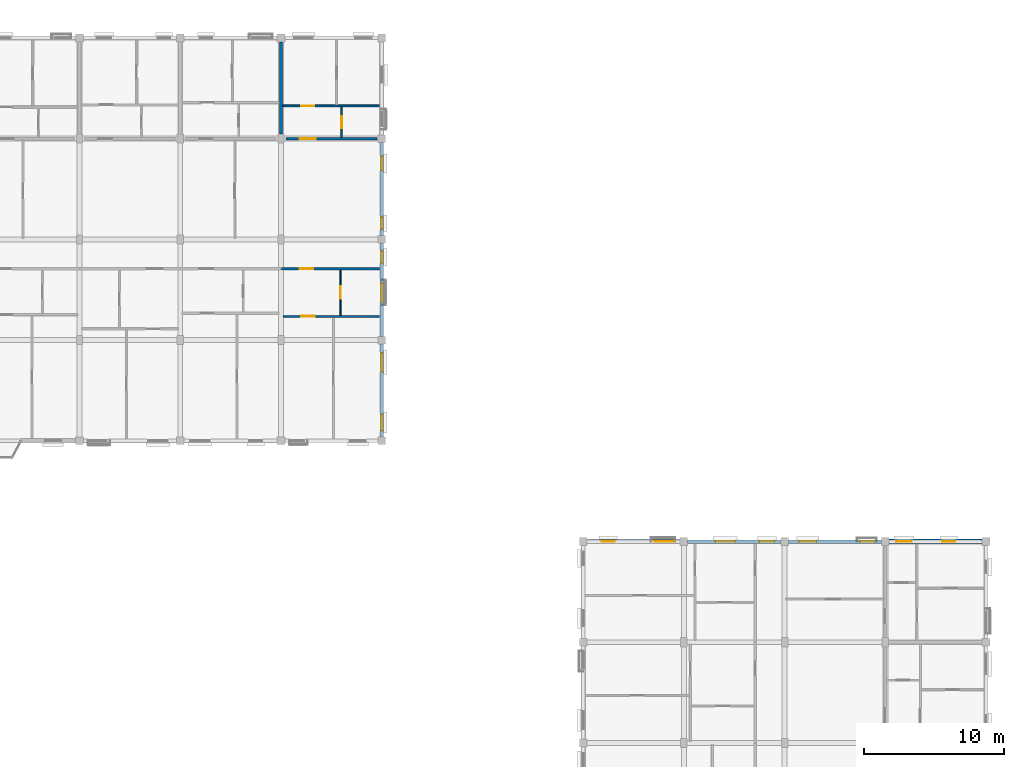
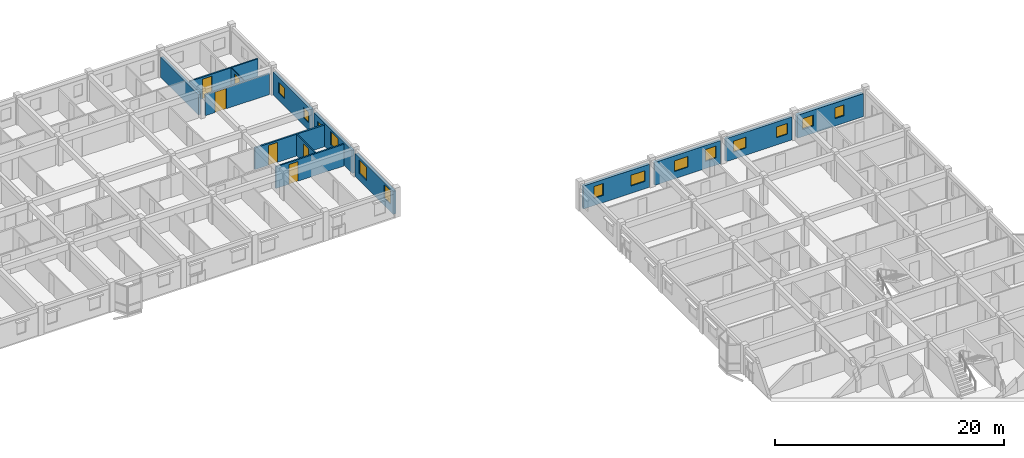
# One storey, part 71 of 79: 14 walls, 14 windows, 6 doors, 20 openings.
"""IFC4 building model written with IfcOpenShell, lengths in metres."""

from ifc_helpers import new_model, si_unit, direction, frame, frame_2d, origin, place, context, subcontext, project, spatial, rectangle, extrude, material, layer, layer_set, type_object, element, fill, save


model = new_model("IFC4")

# Units and contexts
model_context = context("Model", 3, precision=1e-05, world=origin(), true_north=direction((0.0, 1.0)))
body_context = subcontext(model_context, "Body", "Model", "MODEL_VIEW")
ifc_project = project(units=[si_unit("LENGTHUNIT", "METRE"), si_unit("AREAUNIT", "SQUARE_METRE"), si_unit("VOLUMEUNIT", "CUBIC_METRE"), si_unit("PLANEANGLEUNIT", "RADIAN"), si_unit("MASSUNIT", "GRAM", prefix="KILO"), si_unit("THERMODYNAMICTEMPERATUREUNIT", "KELVIN"), si_unit("POWERUNIT", "WATT")], contexts=[model_context])

# Site, building, storey
site_placement = place(None, origin())
site = spatial("IfcSite", under=ifc_project, at=site_placement, CompositionType="ELEMENT")
building_placement = place(site_placement, origin())
building = spatial("IfcBuilding", under=site, at=building_placement, Name="Tavuni Mirador Residences", CompositionType="ELEMENT")
storey_placement = place(building_placement, frame((0.0, 0.0, 13.949951171875)))
storey = spatial("IfcBuildingStorey", under=building, at=storey_placement, Name="L04", CompositionType="ELEMENT", Elevation=13.949951171875)

# Wall, opening, door
ifc_material_1 = material(Name="Precast concrete C40/50", Category="concrete")
ifc_layer_1 = layer(ifc_material_1, 0.1650390625, Name="Precast concrete C40/50", Category="concrete")
ifc_layer_set_1 = layer_set([ifc_layer_1], Name="Precast concrete C40/50")
wall_type_1 = type_object("IfcWallType", Name="WT-CORR165", PredefinedType="PARTITIONING", material=ifc_layer_set_1)
wall_1_placement = place(storey_placement, frame((68.419921875, 156.300048828125, 0.0), z_axis=(0.0, 0.0, 1.0), x_axis=(1.0, 0.0, 0.0)))
wall_1 = element("IfcWall", 1, at=wall_1_placement, inside=storey, type_object=wall_type_1, Name="CORW-BLK-C-L04-0-08", PredefinedType="PARTITIONING", context=body_context, shape_type="SweptSolid", body=[
    extrude(rectangle(XDim=7.005126953125, YDim=0.1650390625, at=frame_2d((3.50244140625, 0.0))), origin(), (0.0, 0.0, 1.0), 2.320068359375),
])
opening_1_placement = place(wall_1_placement, frame((1.330078125, 0.0, 0.0)))
opening_1 = element("IfcOpeningElement", 2, at=opening_1_placement, cuts=wall_1, Name="Opening D-19", PredefinedType="OPENING", context=body_context, shape_type="SweptSolid", body=[
    extrude(rectangle(XDim=0.93994140625, YDim=2.1201171875, at=frame_2d((0.469970703125, 1.06005859375))), frame((0.0, 0.092529296875, 0.0), z_axis=(0.0, -1.0, 0.0), x_axis=(1.0, 0.0, 0.0)), (0.0, 0.0, 1.0), 0.18505859375),
])
ifc_material_2 = material(Name="Solid core iroko timber", Category="wood")
door_type_1 = type_object("IfcDoorType", Name="DT-FD60-940", OperationType="NOTDEFINED", PredefinedType="DOOR", material=ifc_material_2)
door_1_placement = place(opening_1_placement, origin())
door_1 = element("IfcDoor", 3, at=door_1_placement, inside=storey, type_object=door_type_1, Name="DR-2683", OperationType="SINGLE_SWING_RIGHT", OverallHeight=2.1201171875, OverallWidth=0.93994140625, PredefinedType="DOOR", context=body_context, shape_type="SweptSolid", body=[
    extrude(rectangle(XDim=0.93994140625, YDim=2.1201171875, at=frame_2d((0.469970703125, 1.06005859375))), frame((0.0, 0.02490234375, 0.0), z_axis=(0.0, -1.0, 0.0), x_axis=(1.0, 0.0, 0.0)), (0.0, 0.0, 1.0), 0.050048828125),
])
fill(opening_1, door_1)

wall_2_placement = place(storey_placement, frame((68.75, 165.60009765625, 0.0), z_axis=(0.0, 0.0, 1.0), x_axis=(1.0, 0.0, 0.0)))
wall_2 = element("IfcWall", 4, at=wall_2_placement, inside=storey, type_object=wall_type_1, Name="CORW-BLK-C-L04-1-08", PredefinedType="PARTITIONING", context=body_context, shape_type="SweptSolid", body=[
    extrude(rectangle(XDim=6.5, YDim=0.1650390625, at=frame_2d((3.25, 0.0))), origin(), (0.0, 0.0, 1.0), 2.235107421875),
])
opening_2_placement = place(wall_2_placement, frame((1.0, 0.0, 0.0)))
opening_2 = element("IfcOpeningElement", 5, at=opening_2_placement, cuts=wall_2, Name="Opening D-20", PredefinedType="OPENING", context=body_context, shape_type="SweptSolid", body=[
    extrude(rectangle(XDim=1.139892578125, YDim=2.179931640625, at=frame_2d((0.56982421875, 1.08984375))), frame((0.0, 0.092529296875, 0.0), z_axis=(0.0, -1.0, 0.0), x_axis=(1.0, 0.0, 0.0)), (0.0, 0.0, 1.0), 0.18505859375),
])
door_type_2 = type_object("IfcDoorType", Name="DT-FD60-1140", OperationType="NOTDEFINED", PredefinedType="DOOR", material=ifc_material_2)
door_2_placement = place(opening_2_placement, origin())
door_2 = element("IfcDoor", 6, at=door_2_placement, inside=storey, type_object=door_type_2, Name="DR-2690", OperationType="SINGLE_SWING_LEFT", OverallHeight=2.179931640625, OverallWidth=1.139892578125, PredefinedType="DOOR", context=body_context, shape_type="SweptSolid", body=[
    extrude(rectangle(XDim=1.139892578125, YDim=2.179931640625, at=frame_2d((0.56982421875, 1.08984375))), frame((0.0, 0.02490234375, 0.0), z_axis=(0.0, -1.0, 0.0), x_axis=(1.0, 0.0, 0.0)), (0.0, 0.0, 1.0), 0.050048828125),
])
fill(opening_2, door_2)

# Wall, openings, windows
ifc_layer_2 = layer(ifc_material_1, 0.330078125, Name="Precast concrete C40/50", Category="concrete")
ifc_layer_set_2 = layer_set([ifc_layer_2], Name="Precast concrete C40/50")
wall_type_2 = type_object("IfcWallType", Name="WT-EXT-COR330", PredefinedType="SOLIDWALL", material=ifc_layer_set_2)
wall_3_placement = place(storey_placement, frame((118.52490234375, 136.800048828125, 0.0), z_axis=(0.0, 0.0, 1.0), x_axis=(-1.0, 0.0, 0.0)))
wall_3 = element("IfcWall", 7, at=wall_3_placement, inside=storey, type_object=wall_type_2, Name="EW-BLK-D-L04-N03", PredefinedType="SOLIDWALL", context=body_context, shape_type="SweptSolid", body=[
    extrude(rectangle(XDim=6.64990234375, YDim=0.330078125, at=frame_2d((3.324951171875, 0.0))), origin(), (0.0, 0.0, 1.0), 2.4599609375),
])
opening_3_placement = place(wall_3_placement, frame((1.9423828125, 0.0, 0.780029296875)))
opening_3 = element("IfcOpeningElement", 8, at=opening_3_placement, cuts=wall_3, Name="Opening WN-02", PredefinedType="OPENING", context=body_context, shape_type="SweptSolid", body=[
    extrude(rectangle(XDim=0.919921875, YDim=1.14990234375, at=frame_2d((0.4599609375, 0.574951171875))), frame((0.0, 0.175048828125, 0.0), z_axis=(0.0, -1.0, 0.0), x_axis=(1.0, 0.0, 0.0)), (0.0, 0.0, 1.0), 0.35009765625),
])
opening_4_placement = place(wall_3_placement, frame((5.047607421875, 0.0, 0.780029296875)))
opening_4 = element("IfcOpeningElement", 9, at=opening_4_placement, cuts=wall_3, Name="Opening WN-04", PredefinedType="OPENING", context=body_context, shape_type="SweptSolid", body=[
    extrude(rectangle(XDim=1.080078125, YDim=1.14990234375, at=frame_2d((0.5400390625, 0.574951171875))), frame((0.0, 0.175048828125, 0.0), z_axis=(0.0, -1.0, 0.0), x_axis=(1.0, 0.0, 0.0)), (0.0, 0.0, 1.0), 0.35009765625),
])
ifc_material_3 = material(Name="Laminated solar-control glass", Category="glass")
window_type_1 = type_object("IfcWindowType", Name="WNT-02", PartitioningType="SINGLE_PANEL", PredefinedType="WINDOW", material=ifc_material_3)
window_1_placement = place(opening_3_placement, origin())
window_1 = element("IfcWindow", 10, at=window_1_placement, inside=storey, type_object=window_type_1, Name="WIN-1587", OverallHeight=1.14990234375, OverallWidth=0.919921875, PartitioningType="SINGLE_PANEL", PredefinedType="WINDOW", context=body_context, shape_type="SweptSolid", body=[
    extrude(rectangle(XDim=0.919921875, YDim=1.14990234375, at=frame_2d((0.4599609375, 0.574951171875))), frame((0.0, 0.030029296875, 0.0), z_axis=(0.0, -1.0, 0.0), x_axis=(1.0, 0.0, 0.0)), (0.0, 0.0, 1.0), 0.06005859375),
])
fill(opening_3, window_1)
window_type_2 = type_object("IfcWindowType", Name="WNT-04", PartitioningType="SINGLE_PANEL", PredefinedType="WINDOW", material=ifc_material_3)
window_2_placement = place(opening_4_placement, origin())
window_2 = element("IfcWindow", 11, at=window_2_placement, inside=storey, type_object=window_type_2, Name="WIN-1588", OverallHeight=1.14990234375, OverallWidth=1.080078125, PartitioningType="SINGLE_PANEL", PredefinedType="WINDOW", context=body_context, shape_type="SweptSolid", body=[
    extrude(rectangle(XDim=1.080078125, YDim=1.14990234375, at=frame_2d((0.5400390625, 0.574951171875))), frame((0.0, 0.030029296875, 0.0), z_axis=(0.0, -1.0, 0.0), x_axis=(1.0, 0.0, 0.0)), (0.0, 0.0, 1.0), 0.06005859375),
])
fill(opening_4, window_2)

ifc_material_4 = material(Name="Sgraffito lime-rendered precast concrete C40/50", Category="concrete")
ifc_layer_3 = layer(ifc_material_4, 0.2451171875, Name="Sgraffito lime-rendered precast concrete C40/50", Category="concrete")
ifc_layer_set_3 = layer_set([ifc_layer_3], Name="Sgraffito lime-rendered precast concrete C40/50")
wall_type_3 = type_object("IfcWallType", Name="WT-EXT-PC245", PredefinedType="SOLIDWALL", material=ifc_layer_set_3)
wall_4_placement = place(storey_placement, frame((75.60009765625, 158.675048828125, 0.0), z_axis=(0.0, 0.0, 1.0), x_axis=(0.0, 1.0, 0.0)))
wall_4 = element("IfcWall", 12, at=wall_4_placement, inside=storey, type_object=wall_type_3, Name="EW-BLK-C-L04-E02", PredefinedType="SOLIDWALL", context=body_context, shape_type="SweptSolid", body=[
    extrude(rectangle(XDim=6.64990234375, YDim=0.2451171875, at=frame_2d((3.324951171875, 0.0))), origin(), (0.0, 0.0, 1.0), 2.455078125),
])
opening_5_placement = place(wall_4_placement, frame((0.449951171875, 0.0, 0.780029296875)))
opening_5 = element("IfcOpeningElement", 13, at=opening_5_placement, cuts=wall_4, Name="Opening WN-01", PredefinedType="OPENING", context=body_context, shape_type="SweptSolid", body=[
    extrude(rectangle(XDim=0.85009765625, YDim=1.14990234375, at=frame_2d((0.425048828125, 0.574951171875))), frame((0.0, 0.132568359375, 0.0), z_axis=(0.0, -1.0, 0.0), x_axis=(1.0, 0.0, 0.0)), (0.0, 0.0, 1.0), 0.26513671875),
])
opening_6_placement = place(wall_4_placement, frame((4.64990234375, 0.0, 0.780029296875)))
opening_6 = element("IfcOpeningElement", 14, at=opening_6_placement, cuts=wall_4, Name="Opening WN-03", PredefinedType="OPENING", context=body_context, shape_type="SweptSolid", body=[
    extrude(rectangle(XDim=1.0, YDim=1.14990234375, at=frame_2d((0.5, 0.574951171875))), frame((0.0, 0.132568359375, 0.0), z_axis=(0.0, -1.0, 0.0), x_axis=(1.0, 0.0, 0.0)), (0.0, 0.0, 1.0), 0.26513671875),
])
window_type_3 = type_object("IfcWindowType", Name="WNT-01", PartitioningType="SINGLE_PANEL", PredefinedType="WINDOW", material=ifc_material_3)
window_3_placement = place(opening_5_placement, origin())
window_3 = element("IfcWindow", 15, at=window_3_placement, inside=storey, type_object=window_type_3, Name="WIN-1016", OverallHeight=1.14990234375, OverallWidth=0.85009765625, PartitioningType="SINGLE_PANEL", PredefinedType="WINDOW", context=body_context, shape_type="SweptSolid", body=[
    extrude(rectangle(XDim=0.85009765625, YDim=1.14990234375, at=frame_2d((0.425048828125, 0.574951171875))), frame((0.0, 0.030029296875, 0.0), z_axis=(0.0, -1.0, 0.0), x_axis=(1.0, 0.0, 0.0)), (0.0, 0.0, 1.0), 0.06005859375),
])
fill(opening_5, window_3)
window_type_4 = type_object("IfcWindowType", Name="WNT-03", PartitioningType="SINGLE_PANEL", PredefinedType="WINDOW", material=ifc_material_3)
window_4_placement = place(opening_6_placement, origin())
window_4 = element("IfcWindow", 16, at=window_4_placement, inside=storey, type_object=window_type_4, Name="WIN-1017", OverallHeight=1.14990234375, OverallWidth=1.0, PartitioningType="SINGLE_PANEL", PredefinedType="WINDOW", context=body_context, shape_type="SweptSolid", body=[
    extrude(rectangle(XDim=1.0, YDim=1.14990234375, at=frame_2d((0.5, 0.574951171875))), frame((0.0, 0.030029296875, 0.0), z_axis=(0.0, -1.0, 0.0), x_axis=(1.0, 0.0, 0.0)), (0.0, 0.0, 1.0), 0.06005859375),
])
fill(opening_6, window_4)

wall_5_placement = place(storey_placement, frame((111.324951171875, 136.800048828125, 0.0), z_axis=(0.0, 0.0, 1.0), x_axis=(-1.0, 0.0, 0.0)))
wall_5 = element("IfcWall", 17, at=wall_5_placement, inside=storey, type_object=wall_type_3, Name="EW-BLK-D-L04-N02", PredefinedType="SOLIDWALL", context=body_context, shape_type="SweptSolid", body=[
    extrude(rectangle(XDim=6.64990234375, YDim=0.2451171875, at=frame_2d((3.324951171875, 0.0))), origin(), (0.0, 0.0, 1.0), 2.4599609375),
])
opening_7_placement = place(wall_5_placement, frame((0.449951171875, 0.0, 0.780029296875)))
opening_7 = element("IfcOpeningElement", 18, at=opening_7_placement, cuts=wall_5, Name="Opening WN-04", PredefinedType="OPENING", context=body_context, shape_type="SweptSolid", body=[
    extrude(rectangle(XDim=1.080078125, YDim=1.14990234375, at=frame_2d((0.5400390625, 0.574951171875))), frame((0.0, 0.132568359375, 0.0), z_axis=(0.0, -1.0, 0.0), x_axis=(1.0, 0.0, 0.0)), (0.0, 0.0, 1.0), 0.26513671875),
])
opening_8_placement = place(wall_5_placement, frame((4.64990234375, 0.0, 0.780029296875)))
opening_8 = element("IfcOpeningElement", 19, at=opening_8_placement, cuts=wall_5, Name="Opening WN-06", PredefinedType="OPENING", context=body_context, shape_type="SweptSolid", body=[
    extrude(rectangle(XDim=1.239990234375, YDim=1.14990234375, at=frame_2d((0.6201171875, 0.574951171875))), frame((0.0, 0.132568359375, 0.0), z_axis=(0.0, -1.0, 0.0), x_axis=(1.0, 0.0, 0.0)), (0.0, 0.0, 1.0), 0.26513671875),
])
window_5_placement = place(opening_7_placement, origin())
window_5 = element("IfcWindow", 20, at=window_5_placement, inside=storey, type_object=window_type_2, Name="WIN-1589", OverallHeight=1.14990234375, OverallWidth=1.080078125, PartitioningType="SINGLE_PANEL", PredefinedType="WINDOW", context=body_context, shape_type="SweptSolid", body=[
    extrude(rectangle(XDim=1.080078125, YDim=1.14990234375, at=frame_2d((0.5400390625, 0.574951171875))), frame((0.0, 0.030029296875, 0.0), z_axis=(0.0, -1.0, 0.0), x_axis=(1.0, 0.0, 0.0)), (0.0, 0.0, 1.0), 0.06005859375),
])
fill(opening_7, window_5)
window_type_5 = type_object("IfcWindowType", Name="WNT-06", PartitioningType="SINGLE_PANEL", PredefinedType="WINDOW", material=ifc_material_3)
window_6_placement = place(opening_8_placement, origin())
window_6 = element("IfcWindow", 21, at=window_6_placement, inside=storey, type_object=window_type_5, Name="WIN-1590", OverallHeight=1.14990234375, OverallWidth=1.239990234375, PartitioningType="SINGLE_PANEL", PredefinedType="WINDOW", context=body_context, shape_type="SweptSolid", body=[
    extrude(rectangle(XDim=1.239990234375, YDim=1.14990234375, at=frame_2d((0.6201171875, 0.574951171875))), frame((0.0, 0.030029296875, 0.0), z_axis=(0.0, -1.0, 0.0), x_axis=(1.0, 0.0, 0.0)), (0.0, 0.0, 1.0), 0.06005859375),
])
fill(opening_8, window_6)

ifc_layer_4 = layer(ifc_material_4, 0.2548828125, Name="Sgraffito lime-rendered precast concrete C40/50", Category="concrete")
ifc_layer_set_4 = layer_set([ifc_layer_4], Name="Sgraffito lime-rendered precast concrete C40/50")
wall_type_4 = type_object("IfcWallType", Name="WT-EXT-PC255", PredefinedType="SOLIDWALL", material=ifc_layer_set_4)
wall_6_placement = place(storey_placement, frame((75.60009765625, 151.47509765625, 0.0), z_axis=(0.0, 0.0, 1.0), x_axis=(0.0, 1.0, 0.0)))
wall_6 = element("IfcWall", 22, at=wall_6_placement, inside=storey, type_object=wall_type_4, Name="EW-BLK-C-L04-E01", PredefinedType="SOLIDWALL", context=body_context, shape_type="SweptSolid", body=[
    extrude(rectangle(XDim=6.64990234375, YDim=0.2548828125, at=frame_2d((3.324951171875, 0.0))), origin(), (0.0, 0.0, 1.0), 2.455078125),
])
opening_9_placement = place(wall_6_placement, frame((2.449951171875, 0.0, 0.780029296875)))
opening_9 = element("IfcOpeningElement", 23, at=opening_9_placement, cuts=wall_6, Name="Opening WN-29", PredefinedType="OPENING", context=body_context, shape_type="SweptSolid", body=[
    extrude(rectangle(XDim=1.35009765625, YDim=1.43994140625, at=frame_2d((0.675048828125, 0.719970703125))), frame((0.0, 0.137451171875, 0.0), z_axis=(0.0, -1.0, 0.0), x_axis=(1.0, 0.0, 0.0)), (0.0, 0.0, 1.0), 0.27490234375),
])
opening_10_placement = place(wall_6_placement, frame((5.242431640625, 0.0, 0.780029296875)))
opening_10 = element("IfcOpeningElement", 24, at=opening_10_placement, cuts=wall_6, Name="Opening WN-01", PredefinedType="OPENING", context=body_context, shape_type="SweptSolid", body=[
    extrude(rectangle(XDim=0.85009765625, YDim=1.14990234375, at=frame_2d((0.425048828125, 0.574951171875))), frame((0.0, 0.137451171875, 0.0), z_axis=(0.0, -1.0, 0.0), x_axis=(1.0, 0.0, 0.0)), (0.0, 0.0, 1.0), 0.27490234375),
])
window_7_placement = place(opening_10_placement, origin())
window_7 = element("IfcWindow", 25, at=window_7_placement, inside=storey, type_object=window_type_3, Name="WIN-1015", OverallHeight=1.14990234375, OverallWidth=0.85009765625, PartitioningType="SINGLE_PANEL", PredefinedType="WINDOW", context=body_context, shape_type="SweptSolid", body=[
    extrude(rectangle(XDim=0.85009765625, YDim=1.14990234375, at=frame_2d((0.425048828125, 0.574951171875))), frame((0.0, 0.030029296875, 0.0), z_axis=(0.0, -1.0, 0.0), x_axis=(1.0, 0.0, 0.0)), (0.0, 0.0, 1.0), 0.06005859375),
])
fill(opening_10, window_7)
window_type_6 = type_object("IfcWindowType", Name="WNT-29", PartitioningType="SINGLE_PANEL", PredefinedType="WINDOW", material=ifc_material_3)
window_8_placement = place(opening_9_placement, origin())
window_8 = element("IfcWindow", 26, at=window_8_placement, inside=storey, type_object=window_type_6, Name="WIN-1014", OverallHeight=1.43994140625, OverallWidth=1.35009765625, PartitioningType="SINGLE_PANEL", PredefinedType="WINDOW", context=body_context, shape_type="SweptSolid", body=[
    extrude(rectangle(XDim=1.35009765625, YDim=1.43994140625, at=frame_2d((0.675048828125, 0.719970703125))), frame((0.0, 0.030029296875, 0.0), z_axis=(0.0, -1.0, 0.0), x_axis=(1.0, 0.0, 0.0)), (0.0, 0.0, 1.0), 0.06005859375),
])
fill(opening_9, window_8)

wall_7_placement = place(storey_placement, frame((104.125, 136.800048828125, 0.0), z_axis=(0.0, 0.0, 1.0), x_axis=(-1.0, 0.0, 0.0)))
wall_7 = element("IfcWall", 27, at=wall_7_placement, inside=storey, type_object=wall_type_4, Name="EW-BLK-D-L04-N01", PredefinedType="SOLIDWALL", context=body_context, shape_type="SweptSolid", body=[
    extrude(rectangle(XDim=6.64990234375, YDim=0.2548828125, at=frame_2d((3.324951171875, 0.0))), origin(), (0.0, 0.0, 1.0), 2.4599609375),
])
opening_11_placement = place(wall_7_placement, frame((0.46240234375, 0.0, 0.780029296875)))
opening_11 = element("IfcOpeningElement", 28, at=opening_11_placement, cuts=wall_7, Name="Opening WN-11", PredefinedType="OPENING", context=body_context, shape_type="SweptSolid", body=[
    extrude(rectangle(XDim=1.0400390625, YDim=1.260009765625, at=frame_2d((0.52001953125, 0.6298828125))), frame((0.0, 0.137451171875, 0.0), z_axis=(0.0, -1.0, 0.0), x_axis=(1.0, 0.0, 0.0)), (0.0, 0.0, 1.0), 0.27490234375),
])
opening_12_placement = place(wall_7_placement, frame((3.27490234375, 0.0, 0.780029296875)))
opening_12 = element("IfcOpeningElement", 29, at=opening_12_placement, cuts=wall_7, Name="Opening WN-08", PredefinedType="OPENING", context=body_context, shape_type="SweptSolid", body=[
    extrude(rectangle(XDim=1.39990234375, YDim=1.14990234375, at=frame_2d((0.699951171875, 0.574951171875))), frame((0.0, 0.137451171875, 0.0), z_axis=(0.0, -1.0, 0.0), x_axis=(1.0, 0.0, 0.0)), (0.0, 0.0, 1.0), 0.27490234375),
])
window_type_7 = type_object("IfcWindowType", Name="WNT-08", PartitioningType="SINGLE_PANEL", PredefinedType="WINDOW", material=ifc_material_3)
window_9_placement = place(opening_12_placement, origin())
window_9 = element("IfcWindow", 30, at=window_9_placement, inside=storey, type_object=window_type_7, Name="WIN-1592", OverallHeight=1.14990234375, OverallWidth=1.39990234375, PartitioningType="SINGLE_PANEL", PredefinedType="WINDOW", context=body_context, shape_type="SweptSolid", body=[
    extrude(rectangle(XDim=1.39990234375, YDim=1.14990234375, at=frame_2d((0.699951171875, 0.574951171875))), frame((0.0, 0.030029296875, 0.0), z_axis=(0.0, -1.0, 0.0), x_axis=(1.0, 0.0, 0.0)), (0.0, 0.0, 1.0), 0.06005859375),
])
fill(opening_12, window_9)
window_type_8 = type_object("IfcWindowType", Name="WNT-11", PartitioningType="SINGLE_PANEL", PredefinedType="WINDOW", material=ifc_material_3)
window_10_placement = place(opening_11_placement, origin())
window_10 = element("IfcWindow", 31, at=window_10_placement, inside=storey, type_object=window_type_8, Name="WIN-1591", OverallHeight=1.260009765625, OverallWidth=1.0400390625, PartitioningType="SINGLE_PANEL", PredefinedType="WINDOW", context=body_context, shape_type="SweptSolid", body=[
    extrude(rectangle(XDim=1.0400390625, YDim=1.260009765625, at=frame_2d((0.52001953125, 0.6298828125))), frame((0.0, 0.030029296875, 0.0), z_axis=(0.0, -1.0, 0.0), x_axis=(1.0, 0.0, 0.0)), (0.0, 0.0, 1.0), 0.06005859375),
])
fill(opening_11, window_10)

ifc_layer_5 = layer(ifc_material_4, 0.27490234375, Name="Sgraffito lime-rendered precast concrete C40/50", Category="concrete")
ifc_layer_set_5 = layer_set([ifc_layer_5], Name="Sgraffito lime-rendered precast concrete C40/50")
wall_type_5 = type_object("IfcWallType", Name="WT-EXT-PC275", PredefinedType="SOLIDWALL", material=ifc_layer_set_5)
wall_8_placement = place(storey_placement, frame((75.60009765625, 144.27490234375, 0.0), z_axis=(0.0, 0.0, 1.0), x_axis=(0.0, 1.0, 0.0)))
wall_8 = element("IfcWall", 32, at=wall_8_placement, inside=storey, type_object=wall_type_5, Name="EW-BLK-C-L04-E00", PredefinedType="SOLIDWALL", context=body_context, shape_type="SweptSolid", body=[
    extrude(rectangle(XDim=6.650146484375, YDim=0.27490234375, at=frame_2d((3.3251953125, 0.0))), origin(), (0.0, 0.0, 1.0), 2.455078125),
])
opening_13_placement = place(wall_8_placement, frame((0.449951171875, 0.0, 0.780029296875)))
opening_13 = element("IfcOpeningElement", 33, at=opening_13_placement, cuts=wall_8, Name="Opening WN-27", PredefinedType="OPENING", context=body_context, shape_type="SweptSolid", body=[
    extrude(rectangle(XDim=1.14990234375, YDim=1.43994140625, at=frame_2d((0.574951171875, 0.719970703125))), frame((0.0, 0.1474609375, 0.0), z_axis=(0.0, -1.0, 0.0), x_axis=(1.0, 0.0, 0.0)), (0.0, 0.0, 1.0), 0.294921875),
])
opening_14_placement = place(wall_8_placement, frame((4.64990234375, 0.0, 0.780029296875)))
opening_14 = element("IfcOpeningElement", 34, at=opening_14_placement, cuts=wall_8, Name="Opening WN-29", PredefinedType="OPENING", context=body_context, shape_type="SweptSolid", body=[
    extrude(rectangle(XDim=1.35009765625, YDim=1.43994140625, at=frame_2d((0.675048828125, 0.719970703125))), frame((0.0, 0.1474609375, 0.0), z_axis=(0.0, -1.0, 0.0), x_axis=(1.0, 0.0, 0.0)), (0.0, 0.0, 1.0), 0.294921875),
])
window_type_9 = type_object("IfcWindowType", Name="WNT-27", PartitioningType="SINGLE_PANEL", PredefinedType="WINDOW", material=ifc_material_3)
window_11_placement = place(opening_13_placement, origin())
window_11 = element("IfcWindow", 35, at=window_11_placement, inside=storey, type_object=window_type_9, Name="WIN-1012", OverallHeight=1.43994140625, OverallWidth=1.14990234375, PartitioningType="SINGLE_PANEL", PredefinedType="WINDOW", context=body_context, shape_type="SweptSolid", body=[
    extrude(rectangle(XDim=1.14990234375, YDim=1.43994140625, at=frame_2d((0.574951171875, 0.719970703125))), frame((0.0, 0.030029296875, 0.0), z_axis=(0.0, -1.0, 0.0), x_axis=(1.0, 0.0, 0.0)), (0.0, 0.0, 1.0), 0.06005859375),
])
fill(opening_13, window_11)
window_12_placement = place(opening_14_placement, origin())
window_12 = element("IfcWindow", 36, at=window_12_placement, inside=storey, type_object=window_type_6, Name="WIN-1013", OverallHeight=1.43994140625, OverallWidth=1.35009765625, PartitioningType="SINGLE_PANEL", PredefinedType="WINDOW", context=body_context, shape_type="SweptSolid", body=[
    extrude(rectangle(XDim=1.35009765625, YDim=1.43994140625, at=frame_2d((0.675048828125, 0.719970703125))), frame((0.0, 0.030029296875, 0.0), z_axis=(0.0, -1.0, 0.0), x_axis=(1.0, 0.0, 0.0)), (0.0, 0.0, 1.0), 0.06005859375),
])
fill(opening_14, window_12)

wall_9_placement = place(storey_placement, frame((96.925048828125, 136.800048828125, 0.0), z_axis=(0.0, 0.0, 1.0), x_axis=(-1.0, 0.0, 0.0)))
wall_9 = element("IfcWall", 37, at=wall_9_placement, inside=storey, type_object=wall_type_5, Name="EW-BLK-D-L04-N00", PredefinedType="SOLIDWALL", context=body_context, shape_type="SweptSolid", body=[
    extrude(rectangle(XDim=6.650146484375, YDim=0.27490234375, at=frame_2d((3.3251953125, 0.0))), origin(), (0.0, 0.0, 1.0), 2.4599609375),
])
opening_15_placement = place(wall_9_placement, frame((0.449951171875, 0.0, 0.780029296875)))
opening_15 = element("IfcOpeningElement", 38, at=opening_15_placement, cuts=wall_9, Name="Opening WN-08", PredefinedType="OPENING", context=body_context, shape_type="SweptSolid", body=[
    extrude(rectangle(XDim=1.39990234375, YDim=1.14990234375, at=frame_2d((0.699951171875, 0.574951171875))), frame((0.0, 0.1474609375, 0.0), z_axis=(0.0, -1.0, 0.0), x_axis=(1.0, 0.0, 0.0)), (0.0, 0.0, 1.0), 0.294921875),
])
opening_16_placement = place(wall_9_placement, frame((4.64990234375, 0.0, 0.780029296875)))
opening_16 = element("IfcOpeningElement", 39, at=opening_16_placement, cuts=wall_9, Name="Opening WN-10", PredefinedType="OPENING", context=body_context, shape_type="SweptSolid", body=[
    extrude(rectangle(XDim=0.9599609375, YDim=1.260009765625, at=frame_2d((0.47998046875, 0.6298828125))), frame((0.0, 0.1474609375, 0.0), z_axis=(0.0, -1.0, 0.0), x_axis=(1.0, 0.0, 0.0)), (0.0, 0.0, 1.0), 0.294921875),
])
window_13_placement = place(opening_15_placement, origin())
window_13 = element("IfcWindow", 40, at=window_13_placement, inside=storey, type_object=window_type_7, Name="WIN-1593", OverallHeight=1.14990234375, OverallWidth=1.39990234375, PartitioningType="SINGLE_PANEL", PredefinedType="WINDOW", context=body_context, shape_type="SweptSolid", body=[
    extrude(rectangle(XDim=1.39990234375, YDim=1.14990234375, at=frame_2d((0.699951171875, 0.574951171875))), frame((0.0, 0.030029296875, 0.0), z_axis=(0.0, -1.0, 0.0), x_axis=(1.0, 0.0, 0.0)), (0.0, 0.0, 1.0), 0.06005859375),
])
fill(opening_15, window_13)
window_type_10 = type_object("IfcWindowType", Name="WNT-10", PartitioningType="SINGLE_PANEL", PredefinedType="WINDOW", material=ifc_material_3)
window_14_placement = place(opening_16_placement, origin())
window_14 = element("IfcWindow", 41, at=window_14_placement, inside=storey, type_object=window_type_10, Name="WIN-1594", OverallHeight=1.260009765625, OverallWidth=0.9599609375, PartitioningType="SINGLE_PANEL", PredefinedType="WINDOW", context=body_context, shape_type="SweptSolid", body=[
    extrude(rectangle(XDim=0.9599609375, YDim=1.260009765625, at=frame_2d((0.47998046875, 0.6298828125))), frame((0.0, 0.030029296875, 0.0), z_axis=(0.0, -1.0, 0.0), x_axis=(1.0, 0.0, 0.0)), (0.0, 0.0, 1.0), 0.06005859375),
])
fill(opening_16, window_14)

# Wall, opening, door
ifc_material_5 = material(Name="Acoustic gypsum and concrete block partition", Category="concrete")
ifc_layer_6 = layer(ifc_material_5, 0.094970703125, Name="Acoustic gypsum and concrete block partition", Category="concrete")
ifc_layer_set_6 = layer_set([ifc_layer_6], Name="Acoustic gypsum and concrete block partition")
wall_type_6 = type_object("IfcWallType", Name="WT-PART095", PredefinedType="PARTITIONING", material=ifc_layer_set_6)
wall_10_placement = place(storey_placement, frame((72.64990234375, 152.969970703125, 0.0), z_axis=(0.0, 0.0, 1.0), x_axis=(0.0, 1.0, 0.0)))
wall_10 = element("IfcWall", 42, at=wall_10_placement, inside=storey, type_object=wall_type_6, Name="PW-BLK-C-L04-S08-IN1", PredefinedType="PARTITIONING", context=body_context, shape_type="SweptSolid", body=[
    extrude(rectangle(XDim=3.239990234375, YDim=0.094970703125, at=frame_2d((1.6201171875, 0.0))), origin(), (0.0, 0.0, 1.0), 2.320068359375),
])
opening_17_placement = place(wall_10_placement, frame((1.169921875, 0.0, 0.0)))
opening_17 = element("IfcOpeningElement", 43, at=opening_17_placement, cuts=wall_10, Name="Opening D-09", PredefinedType="OPENING", context=body_context, shape_type="SweptSolid", body=[
    extrude(rectangle(XDim=0.89990234375, YDim=2.050048828125, at=frame_2d((0.449951171875, 1.02490234375))), frame((0.0, 0.0576171875, 0.0), z_axis=(0.0, -1.0, 0.0), x_axis=(1.0, 0.0, 0.0)), (0.0, 0.0, 1.0), 0.114990234375),
])
door_type_3 = type_object("IfcDoorType", Name="DT-WC900", OperationType="NOTDEFINED", PredefinedType="DOOR", material=ifc_material_2)
door_3_placement = place(opening_17_placement, origin())
door_3 = element("IfcDoor", 44, at=door_3_placement, inside=storey, type_object=door_type_3, Name="DR-3901", OperationType="SINGLE_SWING_LEFT", OverallHeight=2.050048828125, OverallWidth=0.89990234375, PredefinedType="DOOR", context=body_context, shape_type="SweptSolid", body=[
    extrude(rectangle(XDim=0.89990234375, YDim=2.050048828125, at=frame_2d((0.449951171875, 1.02490234375))), frame((0.0, 0.02490234375, 0.0), z_axis=(0.0, -1.0, 0.0), x_axis=(1.0, 0.0, 0.0)), (0.0, 0.0, 1.0), 0.050048828125),
])
fill(opening_17, door_3)

ifc_layer_7 = layer(ifc_material_5, 0.10498046875, Name="Acoustic gypsum and concrete block partition", Category="concrete")
ifc_layer_set_7 = layer_set([ifc_layer_7], Name="Acoustic gypsum and concrete block partition")
wall_type_7 = type_object("IfcWallType", Name="WT-PART105", PredefinedType="PARTITIONING", material=ifc_layer_set_7)
wall_11_placement = place(storey_placement, frame((72.739990234375, 165.68994140625, 0.0), z_axis=(0.0, 0.0, 1.0), x_axis=(0.0, 1.0, 0.0)))
wall_11 = element("IfcWall", 45, at=wall_11_placement, inside=storey, type_object=wall_type_7, Name="PW-BLK-C-L04-N08-IN1", PredefinedType="PARTITIONING", context=body_context, shape_type="SweptSolid", body=[
    extrude(rectangle(XDim=2.18017578125, YDim=0.10498046875, at=frame_2d((1.090087890625, 0.0))), origin(), (0.0, 0.0, 1.0), 2.320068359375),
])
opening_18_placement = place(wall_11_placement, frame((0.655029296875, 0.0, 0.0)))
opening_18 = element("IfcOpeningElement", 46, at=opening_18_placement, cuts=wall_11, Name="Opening D-10", PredefinedType="OPENING", context=body_context, shape_type="SweptSolid", body=[
    extrude(rectangle(XDim=0.8701171875, YDim=2.050048828125, at=frame_2d((0.43505859375, 1.02490234375))), frame((0.0, 0.0625, 0.0), z_axis=(0.0, -1.0, 0.0), x_axis=(1.0, 0.0, 0.0)), (0.0, 0.0, 1.0), 0.125),
])
door_type_4 = type_object("IfcDoorType", Name="DT-WC870", OperationType="NOTDEFINED", PredefinedType="DOOR", material=ifc_material_2)
door_4_placement = place(opening_18_placement, origin())
door_4 = element("IfcDoor", 47, at=door_4_placement, inside=storey, type_object=door_type_4, Name="DR-3904", OperationType="SINGLE_SWING_RIGHT", OverallHeight=2.050048828125, OverallWidth=0.8701171875, PredefinedType="DOOR", context=body_context, shape_type="SweptSolid", body=[
    extrude(rectangle(XDim=0.8701171875, YDim=2.050048828125, at=frame_2d((0.43505859375, 1.02490234375))), frame((0.0, 0.02490234375, 0.0), z_axis=(0.0, -1.0, 0.0), x_axis=(1.0, 0.0, 0.0)), (0.0, 0.0, 1.0), 0.050048828125),
])
fill(opening_18, door_4)

ifc_layer_8 = layer(ifc_material_5, 0.139892578125, Name="Acoustic gypsum and concrete block partition", Category="concrete")
ifc_layer_set_8 = layer_set([ifc_layer_8], Name="Acoustic gypsum and concrete block partition")
wall_type_8 = type_object("IfcWallType", Name="WT-PART140", PredefinedType="PARTITIONING", material=ifc_layer_set_8)
wall_12_placement = place(storey_placement, frame((68.5400390625, 167.93994140625, 0.0), z_axis=(0.0, 0.0, 1.0), x_axis=(1.0, 0.0, 0.0)))
wall_12 = element("IfcWall", 48, at=wall_12_placement, inside=storey, type_object=wall_type_8, Name="PW-BLK-C-L04-N08-MID", PredefinedType="PARTITIONING", context=body_context, shape_type="SweptSolid", body=[
    extrude(rectangle(XDim=6.885009765625, YDim=0.139892578125, at=frame_2d((3.4423828125, 0.0))), origin(), (0.0, 0.0, 1.0), 2.320068359375),
])
opening_19_placement = place(wall_12_placement, frame((1.31005859375, 0.0, 0.0)))
opening_19 = element("IfcOpeningElement", 49, at=opening_19_placement, cuts=wall_12, Name="Opening D-06", PredefinedType="OPENING", context=body_context, shape_type="SweptSolid", body=[
    extrude(rectangle(XDim=0.919921875, YDim=2.10009765625, at=frame_2d((0.4599609375, 1.050048828125))), frame((0.0, 0.080078125, 0.0), z_axis=(0.0, -1.0, 0.0), x_axis=(1.0, 0.0, 0.0)), (0.0, 0.0, 1.0), 0.159912109375),
])
door_type_5 = type_object("IfcDoorType", Name="DT-INT920", OperationType="NOTDEFINED", PredefinedType="DOOR", material=ifc_material_2)
door_5_placement = place(opening_19_placement, origin())
door_5 = element("IfcDoor", 50, at=door_5_placement, inside=storey, type_object=door_type_5, Name="DR-3905", OperationType="SINGLE_SWING_RIGHT", OverallHeight=2.10009765625, OverallWidth=0.919921875, PredefinedType="DOOR", context=body_context, shape_type="SweptSolid", body=[
    extrude(rectangle(XDim=0.919921875, YDim=2.10009765625, at=frame_2d((0.4599609375, 1.050048828125))), frame((0.0, 0.02490234375, 0.0), z_axis=(0.0, -1.0, 0.0), x_axis=(1.0, 0.0, 0.0)), (0.0, 0.0, 1.0), 0.050048828125),
])
fill(opening_19, door_5)

ifc_layer_9 = layer(ifc_material_5, 0.14990234375, Name="Acoustic gypsum and concrete block partition", Category="concrete")
ifc_layer_set_9 = layer_set([ifc_layer_9], Name="Acoustic gypsum and concrete block partition")
wall_type_9 = type_object("IfcWallType", Name="WT-PART150", PredefinedType="PARTITIONING", material=ifc_layer_set_9)
wall_13_placement = place(storey_placement, frame((68.5400390625, 152.89990234375, 0.0), z_axis=(0.0, 0.0, 1.0), x_axis=(1.0, 0.0, 0.0)))
wall_13 = element("IfcWall", 51, at=wall_13_placement, inside=storey, type_object=wall_type_9, Name="PW-BLK-C-L04-S08-MID", PredefinedType="PARTITIONING", context=body_context, shape_type="SweptSolid", body=[
    extrude(rectangle(XDim=6.885009765625, YDim=0.14990234375, at=frame_2d((3.4423828125, 0.0))), origin(), (0.0, 0.0, 1.0), 2.320068359375),
])
opening_20_placement = place(wall_13_placement, frame((1.31005859375, 0.0, 0.0)))
opening_20 = element("IfcOpeningElement", 52, at=opening_20_placement, cuts=wall_13, Name="Opening D-05", PredefinedType="OPENING", context=body_context, shape_type="SweptSolid", body=[
    extrude(rectangle(XDim=0.949951171875, YDim=2.10009765625, at=frame_2d((0.47509765625, 1.050048828125))), frame((0.0, 0.0849609375, 0.0), z_axis=(0.0, -1.0, 0.0), x_axis=(1.0, 0.0, 0.0)), (0.0, 0.0, 1.0), 0.169921875),
])
door_type_6 = type_object("IfcDoorType", Name="DT-INT950", OperationType="NOTDEFINED", PredefinedType="DOOR", material=ifc_material_2)
door_6_placement = place(opening_20_placement, origin())
door_6 = element("IfcDoor", 53, at=door_6_placement, inside=storey, type_object=door_type_6, Name="DR-3902", OperationType="SINGLE_SWING_LEFT", OverallHeight=2.10009765625, OverallWidth=0.949951171875, PredefinedType="DOOR", context=body_context, shape_type="SweptSolid", body=[
    extrude(rectangle(XDim=0.949951171875, YDim=2.10009765625, at=frame_2d((0.47509765625, 1.050048828125))), frame((0.0, 0.02490234375, 0.0), z_axis=(0.0, -1.0, 0.0), x_axis=(1.0, 0.0, 0.0)), (0.0, 0.0, 1.0), 0.050048828125),
])
fill(opening_20, door_6)

# Wall
ifc_layer_10 = layer(ifc_material_1, 0.235107421875, Name="Precast concrete C40/50", Category="concrete")
ifc_layer_set_10 = layer_set([ifc_layer_10], Name="Precast concrete C40/50")
wall_type_10 = type_object("IfcWallType", Name="WT-XW235", PredefinedType="SOLIDWALL", material=ifc_layer_set_10)
wall_14_placement = place(storey_placement, frame((68.39990234375, 165.925048828125, 0.0), z_axis=(0.0, 0.0, 1.0), x_axis=(0.0, 1.0, 0.0)))
element("IfcWall", 54, at=wall_14_placement, inside=storey, type_object=wall_type_10, Name="XW-BLK-C-L04-N-08", PredefinedType="SOLIDWALL", context=body_context, shape_type="SweptSolid", body=[
    extrude(rectangle(XDim=6.599853515625, YDim=0.235107421875, at=frame_2d((3.2998046875, 0.0))), origin(), (0.0, 0.0, 1.0), 2.18505859375),
])

save(model, "model.ifc")
